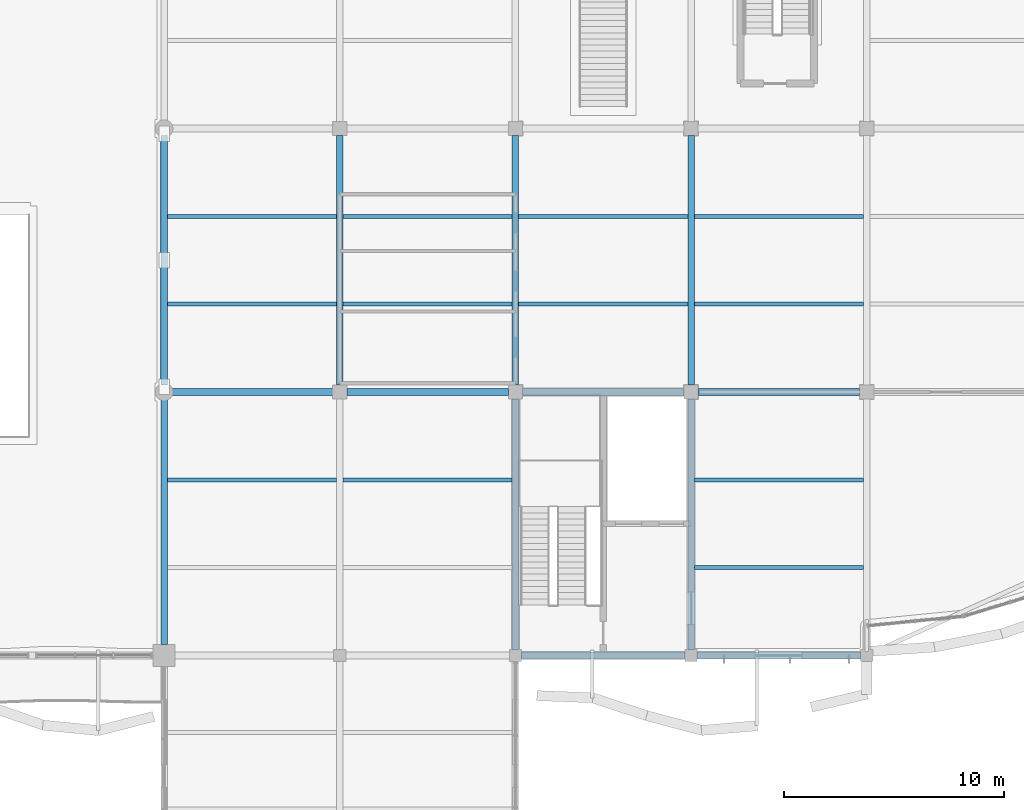
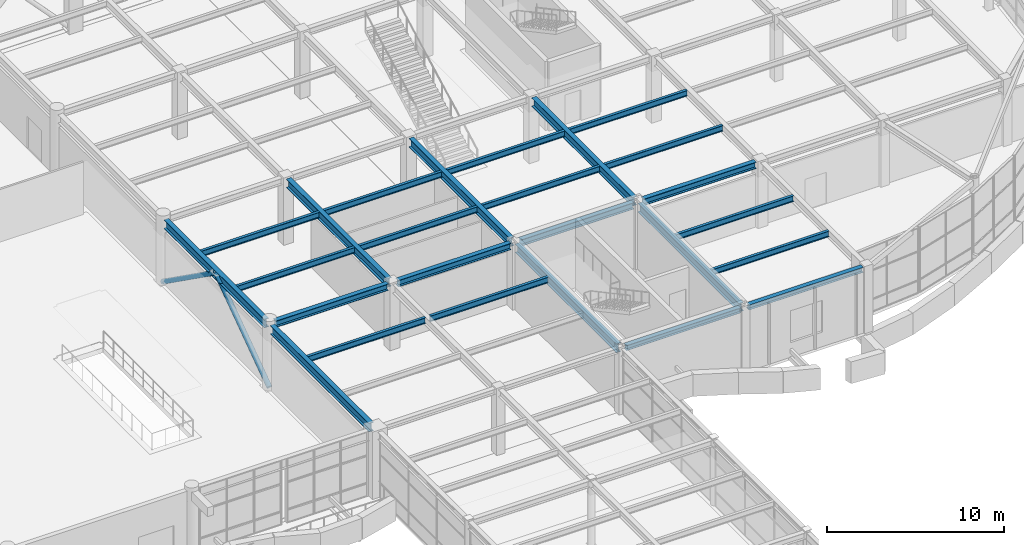
# One storey, part 27 of 72: 25 beams, 2 members.
"""IFC4 building model written with IfcOpenShell, lengths in metres."""

from ifc_helpers import new_model, si_unit, direction, frame, origin, origin_2d, place, context, subcontext, project, spatial, hollow_circle, i_section, extrude, material, material_profile, profile_set, type_object, element, save


model = new_model("IFC4")

# Units and contexts
model_context = context("Model", 3, precision=1e-05, world=origin(), true_north=direction((0.0, 1.0)))
body_context = subcontext(model_context, "Body", "Model", "MODEL_VIEW")
ifc_project = project(units=[si_unit("LENGTHUNIT", "METRE"), si_unit("AREAUNIT", "SQUARE_METRE"), si_unit("VOLUMEUNIT", "CUBIC_METRE"), si_unit("PLANEANGLEUNIT", "RADIAN"), si_unit("MASSUNIT", "GRAM", prefix="KILO")], contexts=[model_context])

# Site, building, storey
site_placement = place(None, origin())
site = spatial("IfcSite", under=ifc_project, at=site_placement, CompositionType="ELEMENT")
building_placement = place(site_placement, origin())
building = spatial("IfcBuilding", under=site, at=building_placement, Name="Keelwater Ferry Terminal", CompositionType="ELEMENT")
storey_placement = place(building_placement, frame((0.0, 0.0, 5.39990234375)))
storey = spatial("IfcBuildingStorey", under=building, at=storey_placement, Name="L01", CompositionType="ELEMENT", Elevation=5.39990234375)

# Members
ifc_material_1 = material(Name="Steel S355", Category="steel")
ifc_material_profile_1 = material_profile(ifc_material_1, hollow_circle(Radius=0.161865234375, WallThickness=0.012451171875, at=origin_2d()), Name="CHS 323.9x12.5")
ifc_profile_set_1 = profile_set([ifc_material_profile_1], Name="Steel S355")
member_type = type_object("IfcMemberType", Name="BR1 CHS 323.9x12.5", PredefinedType="BRACE", material=ifc_profile_set_1)
for number, where, z_axis, x_axis, name in (
    (1, (132.0, 54.0, 0.0), (0.0, 0.814740243451, 0.579826125405), (-1.0, 0.0, 0.0), "Structural Member MB-L01-0557"),
    (2, (132.0, 66.0, 0.0), (0.0, -0.814740243451, 0.579826125405), (1.0, 0.0, 0.0), "Structural Member MB-L01-0558"),
):
    element("IfcMember", number, at=place(storey_placement, frame(where, z_axis=z_axis, x_axis=x_axis)), inside=storey, type_object=member_type, Name=name, PredefinedType="BRACE", context=body_context, shape_type="SweptSolid", body=[
        extrude(hollow_circle(Radius=0.161865234375, WallThickness=0.012451171875, at=origin_2d()), origin(), (0.0, 0.0, 1.0), 7.3642578125),
    ])

# Beams
ifc_material_2 = material(Name="Steel S355", Category="steel")
ifc_material_profile_2 = material_profile(ifc_material_2, i_section(OverallWidth=0.300048828125, OverallDepth=0.60009765625, WebThickness=0.015380859375, FlangeThickness=0.030029296875, at=origin_2d()), Name="HEB 600")
ifc_profile_set_2 = profile_set([ifc_material_profile_2], Name="Steel S355")
beam_type_1 = type_object("IfcBeamType", Name="G3 HEB 600", PredefinedType="BEAM", material=ifc_profile_set_2)
beam_1_placement = place(storey_placement, frame((140.0, 54.318115234375, 4.22021484375), z_axis=(0.0, 1.0, 0.0), x_axis=(-1.0, 0.0, 0.0)))
element("IfcBeam", 3, at=beam_1_placement, inside=storey, type_object=beam_type_1, Name="Beam BM-L01-0768", PredefinedType="BEAM", context=body_context, shape_type="SweptSolid", body=[
    extrude(i_section(OverallWidth=0.300048828125, OverallDepth=0.60009765625, WebThickness=0.015380859375, FlangeThickness=0.030029296875, at=origin_2d()), origin(), (0.0, 0.0, 1.0), 11.36376953125),
])
beam_2_placement = place(storey_placement, frame((156.0, 42.27001953125, 4.22021484375), z_axis=(0.0, 1.0, 0.0), x_axis=(-1.0, 0.0, 0.0)))
element("IfcBeam", 4, at=beam_2_placement, inside=storey, type_object=beam_type_1, Name="Beam BM-L01-0785", PredefinedType="BEAM", context=body_context, shape_type="SweptSolid", body=[
    extrude(i_section(OverallWidth=0.300048828125, OverallDepth=0.60009765625, WebThickness=0.015380859375, FlangeThickness=0.030029296875, at=origin_2d()), origin(), (0.0, 0.0, 1.0), 11.411865234375),
])
beam_3_placement = place(storey_placement, frame((156.0, 54.318115234375, 4.22021484375), z_axis=(0.0, 1.0, 0.0), x_axis=(-1.0, 0.0, 0.0)))
element("IfcBeam", 5, at=beam_3_placement, inside=storey, type_object=beam_type_1, Name="Beam BM-L01-0786", PredefinedType="BEAM", context=body_context, shape_type="SweptSolid", body=[
    extrude(i_section(OverallWidth=0.300048828125, OverallDepth=0.60009765625, WebThickness=0.015380859375, FlangeThickness=0.030029296875, at=origin_2d()), origin(), (0.0, 0.0, 1.0), 11.36376953125),
])
ifc_material_3 = material(Name="Steel S355", Category="steel")
ifc_material_profile_3 = material_profile(ifc_material_3, i_section(OverallWidth=0.300048828125, OverallDepth=0.60009765625, WebThickness=0.015380859375, FlangeThickness=0.030029296875, at=origin_2d()), Name="HEB 600")
ifc_profile_set_3 = profile_set([ifc_material_profile_3], Name="Steel S355")
beam_type_2 = type_object("IfcBeamType", Name="G3E HEB 600", PredefinedType="BEAM", material=ifc_profile_set_3)
beam_4_placement = place(storey_placement, frame((132.0, 42.489990234375, 4.22021484375), z_axis=(0.0, 1.0, 0.0), x_axis=(-1.0, 0.0, 0.0)))
element("IfcBeam", 6, at=beam_4_placement, inside=storey, type_object=beam_type_2, Name="Beam BM-L01-0755", PredefinedType="BEAM", context=body_context, shape_type="SweptSolid", body=[
    extrude(i_section(OverallWidth=0.300048828125, OverallDepth=0.60009765625, WebThickness=0.015380859375, FlangeThickness=0.030029296875, at=origin_2d()), origin(), (0.0, 0.0, 1.0), 11.18212890625),
])
beam_5_placement = place(storey_placement, frame((132.0, 54.327880859375, 4.22021484375), z_axis=(0.0, 1.0, 0.0), x_axis=(-1.0, 0.0, 0.0)))
element("IfcBeam", 7, at=beam_5_placement, inside=storey, type_object=beam_type_2, Name="Beam BM-L01-0756", PredefinedType="BEAM", context=body_context, shape_type="SweptSolid", body=[
    extrude(i_section(OverallWidth=0.300048828125, OverallDepth=0.60009765625, WebThickness=0.015380859375, FlangeThickness=0.030029296875, at=origin_2d()), origin(), (0.0, 0.0, 1.0), 11.34423828125),
])
beam_6_placement = place(storey_placement, frame((148.0, 42.27001953125, 4.22021484375), z_axis=(0.0, 1.0, 0.0), x_axis=(-1.0, 0.0, 0.0)))
element("IfcBeam", 8, at=beam_6_placement, inside=storey, type_object=beam_type_2, Name="Beam BM-L01-0778", PredefinedType="BEAM", context=body_context, shape_type="SweptSolid", body=[
    extrude(i_section(OverallWidth=0.300048828125, OverallDepth=0.60009765625, WebThickness=0.015380859375, FlangeThickness=0.030029296875, at=origin_2d()), origin(), (0.0, 0.0, 1.0), 11.411865234375),
])
beam_7_placement = place(storey_placement, frame((148.0, 54.318115234375, 4.22021484375), z_axis=(0.0, 1.0, 0.0), x_axis=(-1.0, 0.0, 0.0)))
element("IfcBeam", 9, at=beam_7_placement, inside=storey, type_object=beam_type_2, Name="Beam BM-L01-0779", PredefinedType="BEAM", context=body_context, shape_type="SweptSolid", body=[
    extrude(i_section(OverallWidth=0.300048828125, OverallDepth=0.60009765625, WebThickness=0.015380859375, FlangeThickness=0.030029296875, at=origin_2d()), origin(), (0.0, 0.0, 1.0), 11.36376953125),
])
ifc_material_4 = material(Name="Steel S355", Category="steel")
ifc_material_profile_4 = material_profile(ifc_material_4, i_section(OverallWidth=0.300048828125, OverallDepth=0.449951171875, WebThickness=0.013916015625, FlangeThickness=0.02587890625, at=origin_2d()), Name="HEB 450")
ifc_profile_set_4 = profile_set([ifc_material_profile_4], Name="Steel S355")
beam_type_3 = type_object("IfcBeamType", Name="G6 HEB 450", PredefinedType="BEAM", material=ifc_profile_set_4)
beam_8_placement = place(storey_placement, frame((132.327880859375, 54.0, 4.295166015625), z_axis=(1.0, 0.0, 0.0), x_axis=(0.0, 1.0, 0.0)))
element("IfcBeam", 10, at=beam_8_placement, inside=storey, type_object=beam_type_3, Name="Beam BM-L01-0640", PredefinedType="BEAM", context=body_context, shape_type="SweptSolid", body=[
    extrude(i_section(OverallWidth=0.300048828125, OverallDepth=0.449951171875, WebThickness=0.013916015625, FlangeThickness=0.02587890625, at=origin_2d()), origin(), (0.0, 0.0, 1.0), 7.35400390625),
])
for number, where, z_axis, x_axis, name in (
    (11, (140.318115234375, 54.0, 4.295166015625), (1.0, 0.0, 0.0), (0.0, 1.0, 0.0), "Beam BM-L01-0641"),
    (12, (148.318115234375, 54.0, 4.295166015625), (1.0, 0.0, 0.0), (0.0, 1.0, 0.0), "Beam BM-L01-0642"),
    (13, (156.318115234375, 54.0, 4.295166015625), (1.0, 0.0, 0.0), (0.0, 1.0, 0.0), "Beam BM-L01-0643"),
):
    element("IfcBeam", number, at=place(storey_placement, frame(where, z_axis=z_axis, x_axis=x_axis)), inside=storey, type_object=beam_type_3, Name=name, PredefinedType="BEAM", context=body_context, shape_type="SweptSolid", body=[
        extrude(i_section(OverallWidth=0.300048828125, OverallDepth=0.449951171875, WebThickness=0.013916015625, FlangeThickness=0.02587890625, at=origin_2d()), origin(), (0.0, 0.0, 1.0), 7.36376953125),
    ])
ifc_material_5 = material(Name="Steel S355", Category="steel")
ifc_material_profile_5 = material_profile(ifc_material_5, i_section(OverallWidth=0.179931640625, OverallDepth=0.39990234375, WebThickness=0.008544921875, FlangeThickness=0.013427734375, at=origin_2d()), Name="IPE 400")
ifc_profile_set_5 = profile_set([ifc_material_profile_5], Name="Steel S355")
beam_type_4 = type_object("IfcBeamType", Name="J5 IPE 400", PredefinedType="JOIST", material=ifc_profile_set_5)
for number, where, z_axis, x_axis, name in (
    (14, (132.14990234375, 50.0, 4.320068359375), (1.0, 0.0, 0.0), (0.0, 1.0, 0.0), "Beam BM-L01-0881"),
    (15, (132.14990234375, 58.0, 4.320068359375), (1.0, 0.0, 0.0), (0.0, 1.0, 0.0), "Beam BM-L01-0882"),
    (16, (132.14990234375, 62.0, 4.320068359375), (1.0, 0.0, 0.0), (0.0, 1.0, 0.0), "Beam BM-L01-0883"),
    (17, (140.14990234375, 50.0, 4.320068359375), (1.0, 0.0, 0.0), (0.0, 1.0, 0.0), "Beam BM-L01-0901"),
    (18, (140.14990234375, 58.0, 4.320068359375), (1.0, 0.0, 0.0), (0.0, 1.0, 0.0), "Beam BM-L01-0902"),
    (19, (140.14990234375, 62.0, 4.320068359375), (1.0, 0.0, 0.0), (0.0, 1.0, 0.0), "Beam BM-L01-0903"),
    (20, (148.14990234375, 58.0, 4.320068359375), (1.0, 0.0, 0.0), (0.0, 1.0, 0.0), "Beam BM-L01-0914"),
    (21, (148.14990234375, 62.0, 4.320068359375), (1.0, 0.0, 0.0), (0.0, 1.0, 0.0), "Beam BM-L01-0915"),
    (22, (156.14990234375, 46.0, 4.320068359375), (1.0, 0.0, 0.0), (0.0, 1.0, 0.0), "Beam BM-L01-0924"),
    (23, (156.14990234375, 50.0, 4.320068359375), (1.0, 0.0, 0.0), (0.0, 1.0, 0.0), "Beam BM-L01-0925"),
    (24, (156.14990234375, 58.0, 4.320068359375), (1.0, 0.0, 0.0), (0.0, 1.0, 0.0), "Beam BM-L01-0926"),
    (25, (156.14990234375, 62.0, 4.320068359375), (1.0, 0.0, 0.0), (0.0, 1.0, 0.0), "Beam BM-L01-0927"),
):
    element("IfcBeam", number, at=place(storey_placement, frame(where, z_axis=z_axis, x_axis=x_axis)), inside=storey, type_object=beam_type_4, Name=name, PredefinedType="JOIST", context=body_context, shape_type="SweptSolid", body=[
        extrude(i_section(OverallWidth=0.179931640625, OverallDepth=0.39990234375, WebThickness=0.008544921875, FlangeThickness=0.013427734375, at=origin_2d()), origin(), (0.0, 0.0, 1.0), 7.7001953125),
    ])
ifc_material_6 = material(Name="Steel S355", Category="steel")
ifc_material_profile_6 = material_profile(ifc_material_6, i_section(OverallWidth=0.300048828125, OverallDepth=0.35009765625, WebThickness=0.010009765625, FlangeThickness=0.017578125, at=origin_2d()), Name="HEA 360")
ifc_profile_set_6 = profile_set([ifc_material_profile_6], Name="Steel S355")
beam_type_5 = type_object("IfcBeamType", Name="SP1E HEA 360", PredefinedType="SPANDREL", material=ifc_profile_set_6)
for number, where, z_axis, x_axis, name in (
    (26, (148.27001953125, 42.0, 4.34521484375), (1.0, 0.0, 0.0), (0.0, 1.0, 0.0), "Beam BM-L01-0633"),
    (27, (156.27001953125, 42.0, 4.34521484375), (1.0, 0.0, 0.0), (0.0, 1.0, 0.0), "Beam BM-L01-0634"),
):
    element("IfcBeam", number, at=place(storey_placement, frame(where, z_axis=z_axis, x_axis=x_axis)), inside=storey, type_object=beam_type_5, Name=name, PredefinedType="SPANDREL", context=body_context, shape_type="SweptSolid", body=[
        extrude(i_section(OverallWidth=0.300048828125, OverallDepth=0.35009765625, WebThickness=0.010009765625, FlangeThickness=0.017578125, at=origin_2d()), origin(), (0.0, 0.0, 1.0), 7.4599609375),
    ])

save(model, "model.ifc")
